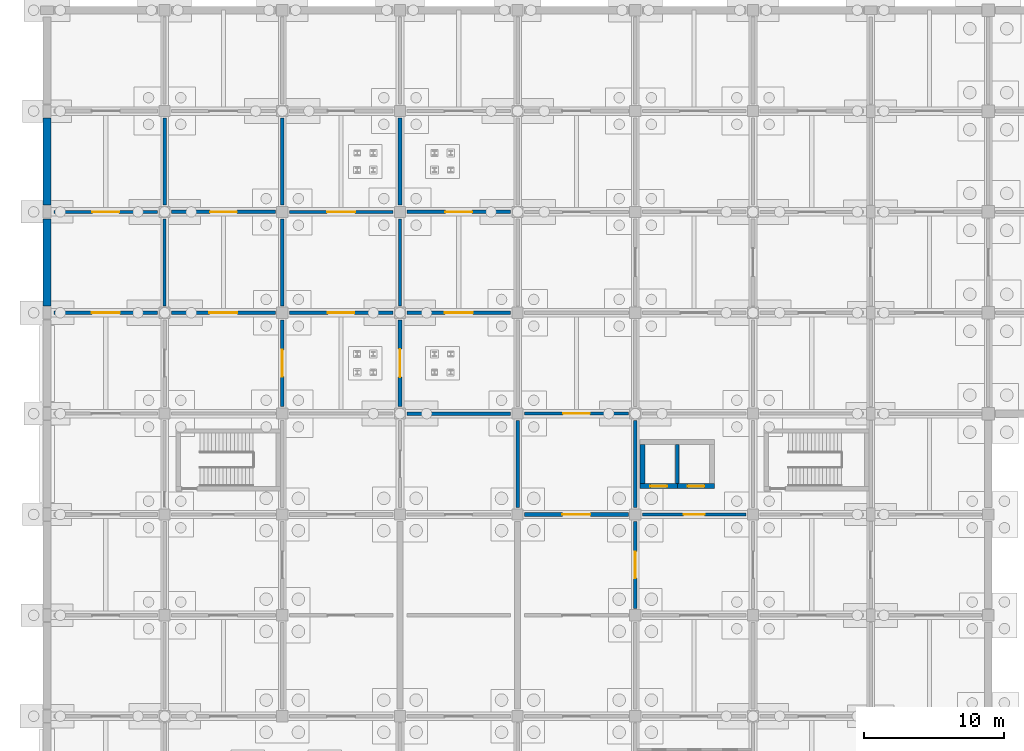
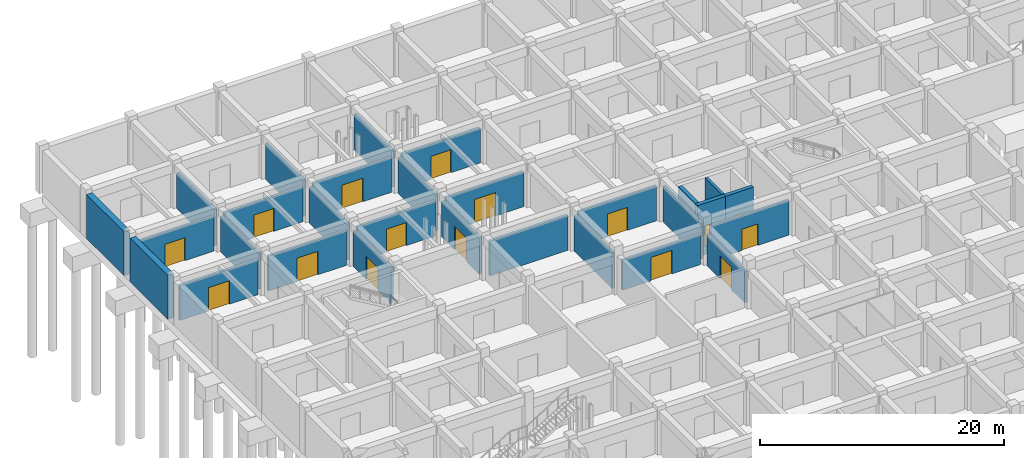
# One storey, part 26 of 38: 29 walls, 16 doors, 16 openings.
"""IFC4 building model written with IfcOpenShell, lengths in metres."""

from ifc_helpers import new_model, si_unit, derived_unit, direction, frame, frame_2d, origin, place, context, subcontext, project, spatial, rectangle, extrude, material, layer, layer_set, type_object, element, fill, save


model = new_model("IFC4")

# Units and contexts
model_context = context("Model", 3, precision=1e-05, world=origin(), true_north=direction((0.0, 1.0)))
body_context = subcontext(model_context, "Body", "Model", "MODEL_VIEW")
ifc_project = project(units=[si_unit("LENGTHUNIT", "METRE"), si_unit("AREAUNIT", "SQUARE_METRE"), si_unit("VOLUMEUNIT", "CUBIC_METRE"), si_unit("PLANEANGLEUNIT", "RADIAN"), si_unit("MASSUNIT", "GRAM", prefix="KILO"), derived_unit("THERMALTRANSMITTANCEUNIT", [(si_unit("MASSUNIT", "GRAM", prefix="KILO"), 1), (si_unit("TIMEUNIT", "SECOND"), -3), (si_unit("THERMODYNAMICTEMPERATUREUNIT", "KELVIN"), -1)])], contexts=[model_context])

# Site, building, storey
site_placement = place(None, origin())
site = spatial("IfcSite", under=ifc_project, at=site_placement, CompositionType="ELEMENT")
building_placement = place(site_placement, origin())
building = spatial("IfcBuilding", under=site, at=building_placement, Name="Veldstrom Oceanarium and Marine Research Institute", CompositionType="ELEMENT")
storey_placement = place(building_placement, frame((0.0, 0.0, -9.60009765625)))
storey = spatial("IfcBuildingStorey", under=building, at=storey_placement, Name="B02", CompositionType="ELEMENT", Elevation=-9.60009765625)

# Wall
ifc_material_1 = material(Name="Masonry Fire Compartment Wall", Category="masonry")
ifc_layer_1 = layer(ifc_material_1, 0.22998046875)
ifc_layer_set_1 = layer_set([ifc_layer_1], Name="ARC-WAL-PT1")
wall_type_1 = type_object("IfcWallType", Name="ARC-WAL-PT1", PredefinedType="PARTITIONING", material=ifc_layer_set_1)
wall_1_placement = place(storey_placement, frame((8.39990234375, 50.89990234375, 0.0), z_axis=(0.0, 0.0, 1.0), x_axis=(0.0, 1.0, 0.0)))
element("IfcWall", 1, at=wall_1_placement, inside=storey, type_object=wall_type_1, Name="Interior Partition PT1 B02-0021", PredefinedType="PARTITIONING", context=body_context, shape_type="SweptSolid", body=[
    extrude(rectangle(XDim=6.2001953125, YDim=0.22998046875, at=frame_2d((3.10009765625, 0.0))), origin(), (0.0, 0.0, 1.0), 3.59521484375),
])

# Wall, opening, door
wall_2_placement = place(storey_placement, frame((0.5, 57.60009765625, 0.0), z_axis=(0.0, 0.0, 1.0), x_axis=(1.0, 0.0, 0.0)))
wall_2 = element("IfcWall", 2, at=wall_2_placement, inside=storey, type_object=wall_type_1, Name="Interior Partition PT1 B02-0022", PredefinedType="PARTITIONING", context=body_context, shape_type="SweptSolid", body=[
    extrude(rectangle(XDim=7.39990234375, YDim=0.22998046875, at=frame_2d((3.699951171875, 0.0))), origin(), (0.0, 0.0, 1.0), 3.4951171875),
])
opening_1_placement = place(wall_2_placement, frame((2.75, 0.0, 0.0)))
opening_1 = element("IfcOpeningElement", 3, at=opening_1_placement, cuts=wall_2, Name="Opening D-B02-016", PredefinedType="OPENING", context=body_context, shape_type="SweptSolid", body=[
    extrude(rectangle(XDim=1.89990234375, YDim=2.300048828125, at=frame_2d((0.949951171875, 1.14990234375))), frame((0.0, 0.125, 0.0), z_axis=(0.0, -1.0, 0.0), x_axis=(1.0, 0.0, 0.0)), (0.0, 0.0, 1.0), 0.25),
])
ifc_material_2 = material(Name="Plant Hall Equipment Door", Category="steel")
door_type_1 = type_object("IfcDoorType", Name="ARC-DOR-ID12", OperationType="DOUBLE_DOOR_SINGLE_SWING", PredefinedType="DOOR", material=ifc_material_2)
door_1_placement = place(opening_1_placement, frame((1.89990234375, 0.0, 0.0), z_axis=(0.0, 0.0, 1.0), x_axis=(-1.0, 0.0, 0.0)))
door_1 = element("IfcDoor", 4, at=door_1_placement, inside=storey, type_object=door_type_1, Name="Interior Door D-B02-016", OperationType="DOUBLE_DOOR_SINGLE_SWING", OverallHeight=2.300048828125, OverallWidth=1.89990234375, PredefinedType="DOOR", context=body_context, shape_type="SweptSolid", body=[
    extrude(rectangle(XDim=1.89990234375, YDim=2.300048828125, at=frame_2d((0.949951171875, 1.14990234375))), frame((0.0, 0.02490234375, 0.0), z_axis=(0.0, -1.0, 0.0), x_axis=(1.0, 0.0, 0.0)), (0.0, 0.0, 1.0), 0.050048828125),
])
fill(opening_1, door_1)

wall_3_placement = place(storey_placement, frame((16.800048828125, 43.699951171875, 0.0), z_axis=(0.0, 0.0, 1.0), x_axis=(0.0, 1.0, 0.0)))
wall_3 = element("IfcWall", 5, at=wall_3_placement, inside=storey, type_object=wall_type_1, Name="Interior Partition PT1 B02-0037", PredefinedType="PARTITIONING", context=body_context, shape_type="SweptSolid", body=[
    extrude(rectangle(XDim=6.199951171875, YDim=0.22998046875, at=frame_2d((3.10009765625, 0.0))), origin(), (0.0, 0.0, 1.0), 3.59521484375),
])
opening_2_placement = place(wall_3_placement, frame((2.14990234375, 0.0, 0.0)))
opening_2 = element("IfcOpeningElement", 6, at=opening_2_placement, cuts=wall_3, Name="Opening D-B02-024", PredefinedType="OPENING", context=body_context, shape_type="SweptSolid", body=[
    extrude(rectangle(XDim=1.89990234375, YDim=2.300048828125, at=frame_2d((0.949951171875, 1.14990234375))), frame((0.0, 0.125, 0.0), z_axis=(0.0, -1.0, 0.0), x_axis=(1.0, 0.0, 0.0)), (0.0, 0.0, 1.0), 0.25),
])
door_2_placement = place(opening_2_placement, origin())
door_2 = element("IfcDoor", 7, at=door_2_placement, inside=storey, type_object=door_type_1, Name="Interior Door D-B02-024", OperationType="DOUBLE_DOOR_SINGLE_SWING", OverallHeight=2.300048828125, OverallWidth=1.89990234375, PredefinedType="DOOR", context=body_context, shape_type="SweptSolid", body=[
    extrude(rectangle(XDim=1.89990234375, YDim=2.300048828125, at=frame_2d((0.949951171875, 1.14990234375))), frame((0.0, 0.02490234375, 0.0), z_axis=(0.0, -1.0, 0.0), x_axis=(1.0, 0.0, 0.0)), (0.0, 0.0, 1.0), 0.050048828125),
])
fill(opening_2, door_2)

wall_4_placement = place(storey_placement, frame((8.89990234375, 50.39990234375, 0.0), z_axis=(0.0, 0.0, 1.0), x_axis=(1.0, 0.0, 0.0)))
wall_4 = element("IfcWall", 8, at=wall_4_placement, inside=storey, type_object=wall_type_1, Name="Interior Partition PT1 B02-0038", PredefinedType="PARTITIONING", context=body_context, shape_type="SweptSolid", body=[
    extrude(rectangle(XDim=7.400146484375, YDim=0.22998046875, at=frame_2d((3.7001953125, 0.0))), origin(), (0.0, 0.0, 1.0), 3.4951171875),
])
opening_3_placement = place(wall_4_placement, frame((2.699951171875, 0.0, 0.0)))
opening_3 = element("IfcOpeningElement", 9, at=opening_3_placement, cuts=wall_4, Name="Opening D-B02-025", PredefinedType="OPENING", context=body_context, shape_type="SweptSolid", body=[
    extrude(rectangle(XDim=2.0, YDim=2.35009765625, at=frame_2d((1.0, 1.175048828125))), frame((0.0, 0.125, 0.0), z_axis=(0.0, -1.0, 0.0), x_axis=(1.0, 0.0, 0.0)), (0.0, 0.0, 1.0), 0.25),
])
ifc_material_3 = material(Name="Filtration Hall Double Door", Category="steel")
door_type_2 = type_object("IfcDoorType", Name="ARC-DOR-ID18", OperationType="DOUBLE_DOOR_SINGLE_SWING", PredefinedType="DOOR", material=ifc_material_3)
door_3_placement = place(opening_3_placement, frame((2.0, 0.0, 0.0), z_axis=(0.0, 0.0, 1.0), x_axis=(-1.0, 0.0, 0.0)))
door_3 = element("IfcDoor", 10, at=door_3_placement, inside=storey, type_object=door_type_2, Name="Interior Door D-B02-025", OperationType="DOUBLE_DOOR_SINGLE_SWING", OverallHeight=2.35009765625, OverallWidth=2.0, PredefinedType="DOOR", context=body_context, shape_type="SweptSolid", body=[
    extrude(rectangle(XDim=2.0, YDim=2.35009765625, at=frame_2d((1.0, 1.175048828125))), frame((0.0, 0.02490234375, 0.0), z_axis=(0.0, -1.0, 0.0), x_axis=(1.0, 0.0, 0.0)), (0.0, 0.0, 1.0), 0.050048828125),
])
fill(opening_3, door_3)

# Walls
wall_5_placement = place(storey_placement, frame((16.800048828125, 58.10009765625, 0.0), z_axis=(0.0, 0.0, 1.0), x_axis=(0.0, 1.0, 0.0)))
element("IfcWall", 11, at=wall_5_placement, inside=storey, type_object=wall_type_1, Name="Interior Partition PT1 B02-0041", PredefinedType="PARTITIONING", context=body_context, shape_type="SweptSolid", body=[
    extrude(rectangle(XDim=6.199951171875, YDim=0.22998046875, at=frame_2d((3.10009765625, 0.0))), origin(), (0.0, 0.0, 1.0), 3.59521484375),
])
wall_6_placement = place(storey_placement, frame((25.199951171875, 50.89990234375, 0.0), z_axis=(0.0, 0.0, 1.0), x_axis=(0.0, 1.0, 0.0)))
element("IfcWall", 12, at=wall_6_placement, inside=storey, type_object=wall_type_1, Name="Interior Partition PT1 B02-0056", PredefinedType="PARTITIONING", context=body_context, shape_type="SweptSolid", body=[
    extrude(rectangle(XDim=6.2001953125, YDim=0.22998046875, at=frame_2d((3.10009765625, 0.0))), origin(), (0.0, 0.0, 1.0), 3.59521484375),
])

# Wall, opening, door
wall_7_placement = place(storey_placement, frame((17.300048828125, 57.60009765625, 0.0), z_axis=(0.0, 0.0, 1.0), x_axis=(1.0, 0.0, 0.0)))
wall_7 = element("IfcWall", 13, at=wall_7_placement, inside=storey, type_object=wall_type_1, Name="Interior Partition PT1 B02-0057", PredefinedType="PARTITIONING", context=body_context, shape_type="SweptSolid", body=[
    extrude(rectangle(XDim=7.39990234375, YDim=0.22998046875, at=frame_2d((3.699951171875, 0.0))), origin(), (0.0, 0.0, 1.0), 3.4951171875),
])
opening_4_placement = place(wall_7_placement, frame((2.699951171875, 0.0, 0.0)))
opening_4 = element("IfcOpeningElement", 14, at=opening_4_placement, cuts=wall_7, Name="Opening D-B02-037", PredefinedType="OPENING", context=body_context, shape_type="SweptSolid", body=[
    extrude(rectangle(XDim=2.0, YDim=2.35009765625, at=frame_2d((1.0, 1.175048828125))), frame((0.0, 0.125, 0.0), z_axis=(0.0, -1.0, 0.0), x_axis=(1.0, 0.0, 0.0)), (0.0, 0.0, 1.0), 0.25),
])
door_4_placement = place(opening_4_placement, frame((2.0, 0.0, 0.0), z_axis=(0.0, 0.0, 1.0), x_axis=(-1.0, 0.0, 0.0)))
door_4 = element("IfcDoor", 15, at=door_4_placement, inside=storey, type_object=door_type_2, Name="Interior Door D-B02-037", OperationType="DOUBLE_DOOR_SINGLE_SWING", OverallHeight=2.35009765625, OverallWidth=2.0, PredefinedType="DOOR", context=body_context, shape_type="SweptSolid", body=[
    extrude(rectangle(XDim=2.0, YDim=2.35009765625, at=frame_2d((1.0, 1.175048828125))), frame((0.0, 0.02490234375, 0.0), z_axis=(0.0, -1.0, 0.0), x_axis=(1.0, 0.0, 0.0)), (0.0, 0.0, 1.0), 0.050048828125),
])
fill(opening_4, door_4)

wall_8_placement = place(storey_placement, frame((25.699951171875, 50.39990234375, 0.0), z_axis=(0.0, 0.0, 1.0), x_axis=(1.0, 0.0, 0.0)))
wall_8 = element("IfcWall", 16, at=wall_8_placement, inside=storey, type_object=wall_type_1, Name="Interior Partition PT1 B02-0072", PredefinedType="PARTITIONING", context=body_context, shape_type="SweptSolid", body=[
    extrude(rectangle(XDim=7.400146484375, YDim=0.22998046875, at=frame_2d((3.7001953125, 0.0))), origin(), (0.0, 0.0, 1.0), 3.4951171875),
])
opening_5_placement = place(wall_8_placement, frame((2.699951171875, 0.0, 0.0)))
opening_5 = element("IfcOpeningElement", 17, at=opening_5_placement, cuts=wall_8, Name="Opening D-B02-043", PredefinedType="OPENING", context=body_context, shape_type="SweptSolid", body=[
    extrude(rectangle(XDim=2.0, YDim=2.35009765625, at=frame_2d((1.0, 1.175048828125))), frame((0.0, 0.125, 0.0), z_axis=(0.0, -1.0, 0.0), x_axis=(1.0, 0.0, 0.0)), (0.0, 0.0, 1.0), 0.25),
])
door_5_placement = place(opening_5_placement, frame((2.0, 0.0, 0.0), z_axis=(0.0, 0.0, 1.0), x_axis=(-1.0, 0.0, 0.0)))
door_5 = element("IfcDoor", 18, at=door_5_placement, inside=storey, type_object=door_type_2, Name="Interior Door D-B02-043", OperationType="DOUBLE_DOOR_SINGLE_SWING", OverallHeight=2.35009765625, OverallWidth=2.0, PredefinedType="DOOR", context=body_context, shape_type="SweptSolid", body=[
    extrude(rectangle(XDim=2.0, YDim=2.35009765625, at=frame_2d((1.0, 1.175048828125))), frame((0.0, 0.02490234375, 0.0), z_axis=(0.0, -1.0, 0.0), x_axis=(1.0, 0.0, 0.0)), (0.0, 0.0, 1.0), 0.050048828125),
])
fill(opening_5, door_5)

# Wall
wall_9_placement = place(storey_placement, frame((42.0, 36.5, 0.0), z_axis=(0.0, 0.0, 1.0), x_axis=(0.0, 1.0, 0.0)))
element("IfcWall", 19, at=wall_9_placement, inside=storey, type_object=wall_type_1, Name="Interior Partition PT1 B02-0088", PredefinedType="PARTITIONING", context=body_context, shape_type="SweptSolid", body=[
    extrude(rectangle(XDim=6.199951171875, YDim=0.22998046875, at=frame_2d((3.10009765625, 0.0))), origin(), (0.0, 0.0, 1.0), 3.59521484375),
])

# Wall, opening, door
wall_10_placement = place(storey_placement, frame((34.10009765625, 43.199951171875, 0.0), z_axis=(0.0, 0.0, 1.0), x_axis=(1.0, 0.0, 0.0)))
wall_10 = element("IfcWall", 20, at=wall_10_placement, inside=storey, type_object=wall_type_1, Name="Interior Partition PT1 B02-0089", PredefinedType="PARTITIONING", context=body_context, shape_type="SweptSolid", body=[
    extrude(rectangle(XDim=7.39990234375, YDim=0.22998046875, at=frame_2d((3.699951171875, 0.0))), origin(), (0.0, 0.0, 1.0), 3.4951171875),
])
opening_6_placement = place(wall_10_placement, frame((2.75, 0.0, 0.0)))
opening_6 = element("IfcOpeningElement", 21, at=opening_6_placement, cuts=wall_10, Name="Opening D-B02-052", PredefinedType="OPENING", context=body_context, shape_type="SweptSolid", body=[
    extrude(rectangle(XDim=1.89990234375, YDim=2.300048828125, at=frame_2d((0.949951171875, 1.14990234375))), frame((0.0, 0.125, 0.0), z_axis=(0.0, -1.0, 0.0), x_axis=(1.0, 0.0, 0.0)), (0.0, 0.0, 1.0), 0.25),
])
door_6_placement = place(opening_6_placement, frame((1.89990234375, 0.0, 0.0), z_axis=(0.0, 0.0, 1.0), x_axis=(-1.0, 0.0, 0.0)))
door_6 = element("IfcDoor", 22, at=door_6_placement, inside=storey, type_object=door_type_1, Name="Interior Door D-B02-052", OperationType="DOUBLE_DOOR_SINGLE_SWING", OverallHeight=2.300048828125, OverallWidth=1.89990234375, PredefinedType="DOOR", context=body_context, shape_type="SweptSolid", body=[
    extrude(rectangle(XDim=1.89990234375, YDim=2.300048828125, at=frame_2d((0.949951171875, 1.14990234375))), frame((0.0, 0.02490234375, 0.0), z_axis=(0.0, -1.0, 0.0), x_axis=(1.0, 0.0, 0.0)), (0.0, 0.0, 1.0), 0.050048828125),
])
fill(opening_6, door_6)

wall_11_placement = place(storey_placement, frame((42.5, 36.0, 0.0), z_axis=(0.0, 0.0, 1.0), x_axis=(1.0, 0.0, 0.0)))
wall_11 = element("IfcWall", 23, at=wall_11_placement, inside=storey, type_object=wall_type_1, Name="Interior Partition PT1 B02-0106", PredefinedType="PARTITIONING", context=body_context, shape_type="SweptSolid", body=[
    extrude(rectangle(XDim=7.39990234375, YDim=0.22998046875, at=frame_2d((3.699951171875, 0.0))), origin(), (0.0, 0.0, 1.0), 3.4951171875),
])
opening_7_placement = place(wall_11_placement, frame((2.949951171875, 0.0, 0.0)))
opening_7 = element("IfcOpeningElement", 24, at=opening_7_placement, cuts=wall_11, Name="Opening D-B02-061", PredefinedType="OPENING", context=body_context, shape_type="SweptSolid", body=[
    extrude(rectangle(XDim=1.5, YDim=2.14990234375, at=frame_2d((0.75, 1.074951171875))), frame((0.0, 0.125, 0.0), z_axis=(0.0, -1.0, 0.0), x_axis=(1.0, 0.0, 0.0)), (0.0, 0.0, 1.0), 0.25),
])
ifc_material_4 = material(Name="Painted Steel Lobby Fire Door", Category="steel")
door_type_3 = type_object("IfcDoorType", Name="ARC-DOR-SD2", OperationType="DOUBLE_DOOR_SINGLE_SWING", PredefinedType="DOOR", material=ifc_material_4)
door_7_placement = place(opening_7_placement, frame((1.5, 0.0, 0.0), z_axis=(0.0, 0.0, 1.0), x_axis=(-1.0, 0.0, 0.0)))
door_7 = element("IfcDoor", 25, at=door_7_placement, inside=storey, type_object=door_type_3, Name="Interior Door D-B02-061", OperationType="DOUBLE_DOOR_SINGLE_SWING", OverallHeight=2.14990234375, OverallWidth=1.5, PredefinedType="DOOR", context=body_context, shape_type="SweptSolid", body=[
    extrude(rectangle(XDim=1.5, YDim=2.14990234375, at=frame_2d((0.75, 1.074951171875))), frame((0.0, 0.02490234375, 0.0), z_axis=(0.0, -1.0, 0.0), x_axis=(1.0, 0.0, 0.0)), (0.0, 0.0, 1.0), 0.050048828125),
])
fill(opening_7, door_7)

ifc_material_5 = material(Name="Plant Acoustic Masonry Wall", Category="masonry")
ifc_layer_2 = layer(ifc_material_5, 0.260009765625)
ifc_layer_set_2 = layer_set([ifc_layer_2], Name="ARC-WAL-PT8")
wall_type_2 = type_object("IfcWallType", Name="ARC-WAL-PT8", PredefinedType="PARTITIONING", material=ifc_layer_set_2)
wall_12_placement = place(storey_placement, frame((0.5, 50.39990234375, 0.0), z_axis=(0.0, 0.0, 1.0), x_axis=(1.0, 0.0, 0.0)))
wall_12 = element("IfcWall", 26, at=wall_12_placement, inside=storey, type_object=wall_type_2, Name="Interior Partition PT8 B02-0020", PredefinedType="PARTITIONING", context=body_context, shape_type="SweptSolid", body=[
    extrude(rectangle(XDim=7.39990234375, YDim=0.260009765625, at=frame_2d((3.699951171875, 0.0))), origin(), (0.0, 0.0, 1.0), 3.4951171875),
])
opening_8_placement = place(wall_12_placement, frame((2.699951171875, 0.0, 0.0)))
opening_8 = element("IfcOpeningElement", 27, at=opening_8_placement, cuts=wall_12, Name="Opening D-B02-015", PredefinedType="OPENING", context=body_context, shape_type="SweptSolid", body=[
    extrude(rectangle(XDim=2.0, YDim=2.35009765625, at=frame_2d((1.0, 1.175048828125))), frame((0.0, 0.139892578125, 0.0), z_axis=(0.0, -1.0, 0.0), x_axis=(1.0, 0.0, 0.0)), (0.0, 0.0, 1.0), 0.280029296875),
])
door_8_placement = place(opening_8_placement, origin())
door_8 = element("IfcDoor", 28, at=door_8_placement, inside=storey, type_object=door_type_2, Name="Interior Door D-B02-015", OperationType="DOUBLE_DOOR_SINGLE_SWING", OverallHeight=2.35009765625, OverallWidth=2.0, PredefinedType="DOOR", context=body_context, shape_type="SweptSolid", body=[
    extrude(rectangle(XDim=2.0, YDim=2.35009765625, at=frame_2d((1.0, 1.175048828125))), frame((0.0, 0.02490234375, 0.0), z_axis=(0.0, -1.0, 0.0), x_axis=(1.0, 0.0, 0.0)), (0.0, 0.0, 1.0), 0.050048828125),
])
fill(opening_8, door_8)

# Walls
wall_13_placement = place(storey_placement, frame((8.39990234375, 58.10009765625, 0.0), z_axis=(0.0, 0.0, 1.0), x_axis=(0.0, 1.0, 0.0)))
element("IfcWall", 29, at=wall_13_placement, inside=storey, type_object=wall_type_2, Name="Interior Partition PT8 B02-0023", PredefinedType="PARTITIONING", context=body_context, shape_type="SweptSolid", body=[
    extrude(rectangle(XDim=6.199951171875, YDim=0.260009765625, at=frame_2d((3.10009765625, 0.0))), origin(), (0.0, 0.0, 1.0), 3.59521484375),
])
wall_14_placement = place(storey_placement, frame((16.800048828125, 50.89990234375, 0.0), z_axis=(0.0, 0.0, 1.0), x_axis=(0.0, 1.0, 0.0)))
element("IfcWall", 30, at=wall_14_placement, inside=storey, type_object=wall_type_2, Name="Interior Partition PT8 B02-0039", PredefinedType="PARTITIONING", context=body_context, shape_type="SweptSolid", body=[
    extrude(rectangle(XDim=6.2001953125, YDim=0.260009765625, at=frame_2d((3.10009765625, 0.0))), origin(), (0.0, 0.0, 1.0), 3.59521484375),
])

# Wall, opening, door
wall_15_placement = place(storey_placement, frame((8.89990234375, 57.60009765625, 0.0), z_axis=(0.0, 0.0, 1.0), x_axis=(1.0, 0.0, 0.0)))
wall_15 = element("IfcWall", 31, at=wall_15_placement, inside=storey, type_object=wall_type_2, Name="Interior Partition PT8 B02-0040", PredefinedType="PARTITIONING", context=body_context, shape_type="SweptSolid", body=[
    extrude(rectangle(XDim=7.400146484375, YDim=0.260009765625, at=frame_2d((3.7001953125, 0.0))), origin(), (0.0, 0.0, 1.0), 3.4951171875),
])
opening_9_placement = place(wall_15_placement, frame((2.75, 0.0, 0.0)))
opening_9 = element("IfcOpeningElement", 32, at=opening_9_placement, cuts=wall_15, Name="Opening D-B02-026", PredefinedType="OPENING", context=body_context, shape_type="SweptSolid", body=[
    extrude(rectangle(XDim=1.89990234375, YDim=2.300048828125, at=frame_2d((0.949951171875, 1.14990234375))), frame((0.0, 0.139892578125, 0.0), z_axis=(0.0, -1.0, 0.0), x_axis=(1.0, 0.0, 0.0)), (0.0, 0.0, 1.0), 0.280029296875),
])
door_9_placement = place(opening_9_placement, origin())
door_9 = element("IfcDoor", 33, at=door_9_placement, inside=storey, type_object=door_type_1, Name="Interior Door D-B02-026", OperationType="DOUBLE_DOOR_SINGLE_SWING", OverallHeight=2.300048828125, OverallWidth=1.89990234375, PredefinedType="DOOR", context=body_context, shape_type="SweptSolid", body=[
    extrude(rectangle(XDim=1.89990234375, YDim=2.300048828125, at=frame_2d((0.949951171875, 1.14990234375))), frame((0.0, 0.02490234375, 0.0), z_axis=(0.0, -1.0, 0.0), x_axis=(1.0, 0.0, 0.0)), (0.0, 0.0, 1.0), 0.050048828125),
])
fill(opening_9, door_9)

wall_16_placement = place(storey_placement, frame((25.199951171875, 43.699951171875, 0.0), z_axis=(0.0, 0.0, 1.0), x_axis=(0.0, 1.0, 0.0)))
wall_16 = element("IfcWall", 34, at=wall_16_placement, inside=storey, type_object=wall_type_2, Name="Interior Partition PT8 B02-0054", PredefinedType="PARTITIONING", context=body_context, shape_type="SweptSolid", body=[
    extrude(rectangle(XDim=6.199951171875, YDim=0.260009765625, at=frame_2d((3.10009765625, 0.0))), origin(), (0.0, 0.0, 1.0), 3.59521484375),
])
opening_10_placement = place(wall_16_placement, frame((2.10009765625, 0.0, 0.0)))
opening_10 = element("IfcOpeningElement", 35, at=opening_10_placement, cuts=wall_16, Name="Opening D-B02-035", PredefinedType="OPENING", context=body_context, shape_type="SweptSolid", body=[
    extrude(rectangle(XDim=2.0, YDim=2.35009765625, at=frame_2d((1.0, 1.175048828125))), frame((0.0, 0.139892578125, 0.0), z_axis=(0.0, -1.0, 0.0), x_axis=(1.0, 0.0, 0.0)), (0.0, 0.0, 1.0), 0.280029296875),
])
door_10_placement = place(opening_10_placement, frame((2.0, 0.0, 0.0), z_axis=(0.0, 0.0, 1.0), x_axis=(-1.0, 0.0, 0.0)))
door_10 = element("IfcDoor", 36, at=door_10_placement, inside=storey, type_object=door_type_2, Name="Interior Door D-B02-035", OperationType="DOUBLE_DOOR_SINGLE_SWING", OverallHeight=2.35009765625, OverallWidth=2.0, PredefinedType="DOOR", context=body_context, shape_type="SweptSolid", body=[
    extrude(rectangle(XDim=2.0, YDim=2.35009765625, at=frame_2d((1.0, 1.175048828125))), frame((0.0, 0.02490234375, 0.0), z_axis=(0.0, -1.0, 0.0), x_axis=(1.0, 0.0, 0.0)), (0.0, 0.0, 1.0), 0.050048828125),
])
fill(opening_10, door_10)

wall_17_placement = place(storey_placement, frame((17.300048828125, 50.39990234375, 0.0), z_axis=(0.0, 0.0, 1.0), x_axis=(1.0, 0.0, 0.0)))
wall_17 = element("IfcWall", 37, at=wall_17_placement, inside=storey, type_object=wall_type_2, Name="Interior Partition PT8 B02-0055", PredefinedType="PARTITIONING", context=body_context, shape_type="SweptSolid", body=[
    extrude(rectangle(XDim=7.39990234375, YDim=0.260009765625, at=frame_2d((3.699951171875, 0.0))), origin(), (0.0, 0.0, 1.0), 3.4951171875),
])
opening_11_placement = place(wall_17_placement, frame((2.75, 0.0, 0.0)))
opening_11 = element("IfcOpeningElement", 38, at=opening_11_placement, cuts=wall_17, Name="Opening D-B02-036", PredefinedType="OPENING", context=body_context, shape_type="SweptSolid", body=[
    extrude(rectangle(XDim=1.89990234375, YDim=2.300048828125, at=frame_2d((0.949951171875, 1.14990234375))), frame((0.0, 0.139892578125, 0.0), z_axis=(0.0, -1.0, 0.0), x_axis=(1.0, 0.0, 0.0)), (0.0, 0.0, 1.0), 0.280029296875),
])
door_11_placement = place(opening_11_placement, origin())
door_11 = element("IfcDoor", 39, at=door_11_placement, inside=storey, type_object=door_type_1, Name="Interior Door D-B02-036", OperationType="DOUBLE_DOOR_SINGLE_SWING", OverallHeight=2.300048828125, OverallWidth=1.89990234375, PredefinedType="DOOR", context=body_context, shape_type="SweptSolid", body=[
    extrude(rectangle(XDim=1.89990234375, YDim=2.300048828125, at=frame_2d((0.949951171875, 1.14990234375))), frame((0.0, 0.02490234375, 0.0), z_axis=(0.0, -1.0, 0.0), x_axis=(1.0, 0.0, 0.0)), (0.0, 0.0, 1.0), 0.050048828125),
])
fill(opening_11, door_11)

# Walls
for number, where, z_axis, x_axis, name in (
    (40, (25.199951171875, 58.10009765625, 0.0), (0.0, 0.0, 1.0), (0.0, 1.0, 0.0), "Interior Partition PT8 B02-0058"),
    (41, (33.60009765625, 36.5, 0.0), (0.0, 0.0, 1.0), (0.0, 1.0, 0.0), "Interior Partition PT8 B02-0069"),
):
    element("IfcWall", number, at=place(storey_placement, frame(where, z_axis=z_axis, x_axis=x_axis)), inside=storey, type_object=wall_type_2, Name=name, PredefinedType="PARTITIONING", context=body_context, shape_type="SweptSolid", body=[
        extrude(rectangle(XDim=6.199951171875, YDim=0.260009765625, at=frame_2d((3.10009765625, 0.0))), origin(), (0.0, 0.0, 1.0), 3.59521484375),
    ])
wall_18_placement = place(storey_placement, frame((25.699951171875, 43.199951171875, 0.0), z_axis=(0.0, 0.0, 1.0), x_axis=(1.0, 0.0, 0.0)))
element("IfcWall", 42, at=wall_18_placement, inside=storey, type_object=wall_type_2, Name="Interior Partition PT8 B02-0070", PredefinedType="PARTITIONING", context=body_context, shape_type="SweptSolid", body=[
    extrude(rectangle(XDim=7.400146484375, YDim=0.260009765625, at=frame_2d((3.7001953125, 0.0))), origin(), (0.0, 0.0, 1.0), 3.4951171875),
])

# Wall, opening, door
wall_19_placement = place(storey_placement, frame((25.699951171875, 57.60009765625, 0.0), z_axis=(0.0, 0.0, 1.0), x_axis=(1.0, 0.0, 0.0)))
wall_19 = element("IfcWall", 43, at=wall_19_placement, inside=storey, type_object=wall_type_2, Name="Interior Partition PT8 B02-0074", PredefinedType="PARTITIONING", context=body_context, shape_type="SweptSolid", body=[
    extrude(rectangle(XDim=7.400146484375, YDim=0.260009765625, at=frame_2d((3.7001953125, 0.0))), origin(), (0.0, 0.0, 1.0), 3.4951171875),
])
opening_12_placement = place(wall_19_placement, frame((2.75, 0.0, 0.0)))
opening_12 = element("IfcOpeningElement", 44, at=opening_12_placement, cuts=wall_19, Name="Opening D-B02-044", PredefinedType="OPENING", context=body_context, shape_type="SweptSolid", body=[
    extrude(rectangle(XDim=1.89990234375, YDim=2.300048828125, at=frame_2d((0.949951171875, 1.14990234375))), frame((0.0, 0.139892578125, 0.0), z_axis=(0.0, -1.0, 0.0), x_axis=(1.0, 0.0, 0.0)), (0.0, 0.0, 1.0), 0.280029296875),
])
door_12_placement = place(opening_12_placement, origin())
door_12 = element("IfcDoor", 45, at=door_12_placement, inside=storey, type_object=door_type_1, Name="Interior Door D-B02-044", OperationType="DOUBLE_DOOR_SINGLE_SWING", OverallHeight=2.300048828125, OverallWidth=1.89990234375, PredefinedType="DOOR", context=body_context, shape_type="SweptSolid", body=[
    extrude(rectangle(XDim=1.89990234375, YDim=2.300048828125, at=frame_2d((0.949951171875, 1.14990234375))), frame((0.0, 0.02490234375, 0.0), z_axis=(0.0, -1.0, 0.0), x_axis=(1.0, 0.0, 0.0)), (0.0, 0.0, 1.0), 0.050048828125),
])
fill(opening_12, door_12)

wall_20_placement = place(storey_placement, frame((42.0, 29.300048828125, 0.0), z_axis=(0.0, 0.0, 1.0), x_axis=(0.0, 1.0, 0.0)))
wall_20 = element("IfcWall", 46, at=wall_20_placement, inside=storey, type_object=wall_type_2, Name="Interior Partition PT8 B02-0086", PredefinedType="PARTITIONING", context=body_context, shape_type="SweptSolid", body=[
    extrude(rectangle(XDim=6.199951171875, YDim=0.260009765625, at=frame_2d((3.10009765625, 0.0))), origin(), (0.0, 0.0, 1.0), 3.09521484375),
])
opening_13_placement = place(wall_20_placement, frame((2.14990234375, 0.0, 0.0)))
opening_13 = element("IfcOpeningElement", 47, at=opening_13_placement, cuts=wall_20, Name="Opening D-B02-050", PredefinedType="OPENING", context=body_context, shape_type="SweptSolid", body=[
    extrude(rectangle(XDim=1.89990234375, YDim=2.300048828125, at=frame_2d((0.949951171875, 1.14990234375))), frame((0.0, 0.139892578125, 0.0), z_axis=(0.0, -1.0, 0.0), x_axis=(1.0, 0.0, 0.0)), (0.0, 0.0, 1.0), 0.280029296875),
])
door_13_placement = place(opening_13_placement, frame((1.89990234375, 0.0, 0.0), z_axis=(0.0, 0.0, 1.0), x_axis=(-1.0, 0.0, 0.0)))
door_13 = element("IfcDoor", 48, at=door_13_placement, inside=storey, type_object=door_type_1, Name="Interior Door D-B02-050", OperationType="DOUBLE_DOOR_SINGLE_SWING", OverallHeight=2.300048828125, OverallWidth=1.89990234375, PredefinedType="DOOR", context=body_context, shape_type="SweptSolid", body=[
    extrude(rectangle(XDim=1.89990234375, YDim=2.300048828125, at=frame_2d((0.949951171875, 1.14990234375))), frame((0.0, 0.02490234375, 0.0), z_axis=(0.0, -1.0, 0.0), x_axis=(1.0, 0.0, 0.0)), (0.0, 0.0, 1.0), 0.050048828125),
])
fill(opening_13, door_13)

wall_21_placement = place(storey_placement, frame((34.10009765625, 36.0, 0.0), z_axis=(0.0, 0.0, 1.0), x_axis=(1.0, 0.0, 0.0)))
wall_21 = element("IfcWall", 49, at=wall_21_placement, inside=storey, type_object=wall_type_2, Name="Interior Partition PT8 B02-0087", PredefinedType="PARTITIONING", context=body_context, shape_type="SweptSolid", body=[
    extrude(rectangle(XDim=7.39990234375, YDim=0.260009765625, at=frame_2d((3.699951171875, 0.0))), origin(), (0.0, 0.0, 1.0), 2.9951171875),
])
opening_14_placement = place(wall_21_placement, frame((2.699951171875, 0.0, 0.0)))
opening_14 = element("IfcOpeningElement", 50, at=opening_14_placement, cuts=wall_21, Name="Opening D-B02-051", PredefinedType="OPENING", context=body_context, shape_type="SweptSolid", body=[
    extrude(rectangle(XDim=2.0, YDim=2.35009765625, at=frame_2d((1.0, 1.175048828125))), frame((0.0, 0.139892578125, 0.0), z_axis=(0.0, -1.0, 0.0), x_axis=(1.0, 0.0, 0.0)), (0.0, 0.0, 1.0), 0.280029296875),
])
door_14_placement = place(opening_14_placement, origin())
door_14 = element("IfcDoor", 51, at=door_14_placement, inside=storey, type_object=door_type_2, Name="Interior Door D-B02-051", OperationType="DOUBLE_DOOR_SINGLE_SWING", OverallHeight=2.35009765625, OverallWidth=2.0, PredefinedType="DOOR", context=body_context, shape_type="SweptSolid", body=[
    extrude(rectangle(XDim=2.0, YDim=2.35009765625, at=frame_2d((1.0, 1.175048828125))), frame((0.0, 0.02490234375, 0.0), z_axis=(0.0, -1.0, 0.0), x_axis=(1.0, 0.0, 0.0)), (0.0, 0.0, 1.0), 0.050048828125),
])
fill(opening_14, door_14)

ifc_material_6 = material(Name="Concrete C40/50", Category="concrete")
ifc_layer_3 = layer(ifc_material_6, 0.360107421875)
ifc_layer_set_3 = layer_set([ifc_layer_3], Name="STR-WAL-WC2")
wall_type_3 = type_object("IfcWallType", Name="STR-WAL-WC2", PredefinedType="SHEAR", material=ifc_layer_set_3)
wall_22_placement = place(storey_placement, frame((42.340087890625, 38.02001953125, -0.75), z_axis=(0.0, 0.0, 1.0), x_axis=(1.0, 0.0, 0.0)))
wall_22 = element("IfcWall", 52, at=wall_22_placement, inside=storey, type_object=wall_type_3, Name="Lift Shaft Front Shear Wall LP4 B02", PredefinedType="SHEAR", context=body_context, shape_type="SweptSolid", body=[
    extrude(rectangle(XDim=2.659912109375, YDim=0.360107421875, at=frame_2d((1.330078125, 0.0))), origin(), (0.0, 0.0, 1.0), 5.150146484375),
])
opening_15_placement = place(wall_22_placement, frame((0.72998046875, 0.0, 0.75)))
opening_15 = element("IfcOpeningElement", 53, at=opening_15_placement, cuts=wall_22, Name="Opening LD-LP4-B02", PredefinedType="OPENING", context=body_context, shape_type="SweptSolid", body=[
    extrude(rectangle(XDim=1.199951171875, YDim=2.14990234375, at=frame_2d((0.60009765625, 1.074951171875))), frame((0.0, 0.18994140625, 0.0), z_axis=(0.0, -1.0, 0.0), x_axis=(1.0, 0.0, 0.0)), (0.0, 0.0, 1.0), 0.380126953125),
])
ifc_material_7 = material(Name="Stainless Steel Lift Landing Door", Category="steel")
door_type_4 = type_object("IfcDoorType", Name="ARC-DOR-LD2", OperationType="DOUBLE_DOOR_SLIDING", PredefinedType="DOOR", material=ifc_material_7)
door_15_placement = place(opening_15_placement, origin())
door_15 = element("IfcDoor", 54, at=door_15_placement, inside=storey, type_object=door_type_4, Name="Lift Landing Door LD-LP4-B02", OperationType="DOUBLE_DOOR_SLIDING", OverallHeight=2.14990234375, OverallWidth=1.199951171875, PredefinedType="DOOR", context=body_context, shape_type="SweptSolid", body=[
    extrude(rectangle(XDim=1.199951171875, YDim=2.14990234375, at=frame_2d((0.60009765625, 1.074951171875))), frame((0.0, 0.02490234375, 0.0), z_axis=(0.0, -1.0, 0.0), x_axis=(1.0, 0.0, 0.0)), (0.0, 0.0, 1.0), 0.050048828125),
])
fill(opening_15, door_15)

wall_23_placement = place(storey_placement, frame((45.0, 38.02001953125, -0.75), z_axis=(0.0, 0.0, 1.0), x_axis=(1.0, 0.0, 0.0)))
wall_23 = element("IfcWall", 55, at=wall_23_placement, inside=storey, type_object=wall_type_3, Name="Lift Shaft Front Shear Wall LP5 B02", PredefinedType="SHEAR", context=body_context, shape_type="SweptSolid", body=[
    extrude(rectangle(XDim=2.659912109375, YDim=0.360107421875, at=frame_2d((1.330078125, 0.0))), origin(), (0.0, 0.0, 1.0), 5.150146484375),
])
opening_16_placement = place(wall_23_placement, frame((0.72998046875, 0.0, 0.75)))
opening_16 = element("IfcOpeningElement", 56, at=opening_16_placement, cuts=wall_23, Name="Opening LD-LP5-B02", PredefinedType="OPENING", context=body_context, shape_type="SweptSolid", body=[
    extrude(rectangle(XDim=1.199951171875, YDim=2.14990234375, at=frame_2d((0.60009765625, 1.074951171875))), frame((0.0, 0.18994140625, 0.0), z_axis=(0.0, -1.0, 0.0), x_axis=(1.0, 0.0, 0.0)), (0.0, 0.0, 1.0), 0.380126953125),
])
door_16_placement = place(opening_16_placement, origin())
door_16 = element("IfcDoor", 57, at=door_16_placement, inside=storey, type_object=door_type_4, Name="Lift Landing Door LD-LP5-B02", OperationType="DOUBLE_DOOR_SLIDING", OverallHeight=2.14990234375, OverallWidth=1.199951171875, PredefinedType="DOOR", context=body_context, shape_type="SweptSolid", body=[
    extrude(rectangle(XDim=1.199951171875, YDim=2.14990234375, at=frame_2d((0.60009765625, 1.074951171875))), frame((0.0, 0.02490234375, 0.0), z_axis=(0.0, -1.0, 0.0), x_axis=(1.0, 0.0, 0.0)), (0.0, 0.0, 1.0), 0.050048828125),
])
fill(opening_16, door_16)

# Walls
wall_24_placement = place(storey_placement, frame((42.52001953125, 38.199951171875, -0.75), z_axis=(0.0, 0.0, 1.0), x_axis=(0.0, 1.0, 0.0)))
element("IfcWall", 58, at=wall_24_placement, inside=storey, type_object=wall_type_3, Name="Lift Shaft Shear Wall W B02 5/5", PredefinedType="SHEAR", context=body_context, shape_type="SweptSolid", body=[
    extrude(rectangle(XDim=2.800048828125, YDim=0.360107421875, at=frame_2d((1.39990234375, 0.0))), origin(), (0.0, 0.0, 1.0), 5.150146484375),
])
ifc_material_8 = material(Name="Concrete C40/50", Category="concrete")
ifc_layer_4 = layer(ifc_material_8, 0.239990234375)
ifc_layer_set_4 = layer_set([ifc_layer_4], Name="STR-WAL-WC4")
wall_type_4 = type_object("IfcWallType", Name="STR-WAL-WC4", PredefinedType="SHEAR", material=ifc_layer_set_4)
wall_25_placement = place(storey_placement, frame((45.0, 38.199951171875, -0.75), z_axis=(0.0, 0.0, 1.0), x_axis=(0.0, 1.0, 0.0)))
element("IfcWall", 59, at=wall_25_placement, inside=storey, type_object=wall_type_4, Name="Lift Shaft Divider Wall B02 5/5-1", PredefinedType="SHEAR", context=body_context, shape_type="SweptSolid", body=[
    extrude(rectangle(XDim=2.800048828125, YDim=0.239990234375, at=frame_2d((1.39990234375, 0.0))), origin(), (0.0, 0.0, 1.0), 5.150146484375),
])
ifc_material_9 = material(Name="Concrete C40/50", Category="concrete")
ifc_layer_5 = layer(ifc_material_9, 0.550048828125)
ifc_layer_set_5 = layer_set([ifc_layer_5], Name="STR-WAL-WR1")
wall_type_5 = type_object("IfcWallType", Name="STR-WAL-WR1", PredefinedType="USERDEFINED", material=ifc_layer_set_5)
wall_26_placement = place(storey_placement, frame((0.0, 50.89990234375, 0.0), z_axis=(0.0, 0.0, 1.0), x_axis=(0.0, 1.0, 0.0)))
element("IfcWall", 60, at=wall_26_placement, inside=storey, type_object=wall_type_5, Name="Basement Retaining Wall WR1-B02-009", ObjectType="Retaining wall", PredefinedType="USERDEFINED", context=body_context, shape_type="SweptSolid", body=[
    extrude(rectangle(XDim=6.2001953125, YDim=0.550048828125, at=frame_2d((3.10009765625, 0.0))), origin(), (0.0, 0.0, 1.0), 4.400146484375),
])
wall_27_placement = place(storey_placement, frame((0.0, 58.10009765625, 0.0), z_axis=(0.0, 0.0, 1.0), x_axis=(0.0, 1.0, 0.0)))
element("IfcWall", 61, at=wall_27_placement, inside=storey, type_object=wall_type_5, Name="Basement Retaining Wall WR1-B02-010", ObjectType="Retaining wall", PredefinedType="USERDEFINED", context=body_context, shape_type="SweptSolid", body=[
    extrude(rectangle(XDim=6.199951171875, YDim=0.550048828125, at=frame_2d((3.10009765625, 0.0))), origin(), (0.0, 0.0, 1.0), 4.400146484375),
])

save(model, "model.ifc")
